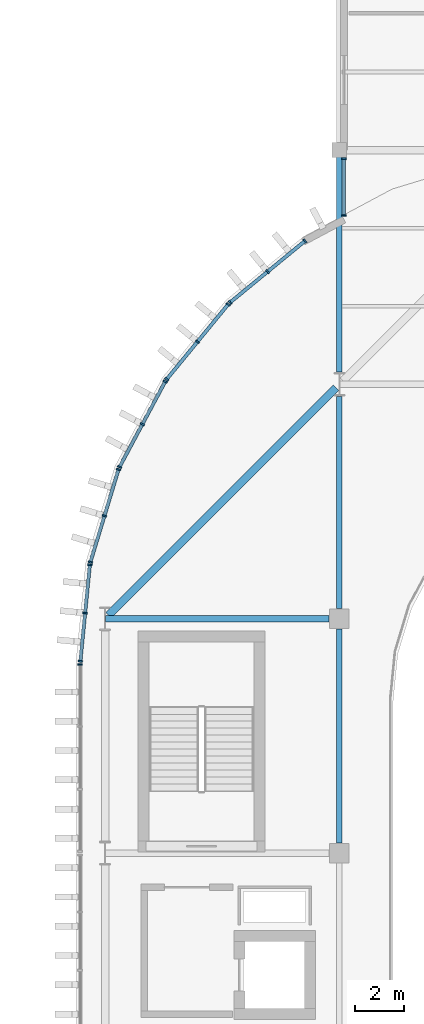
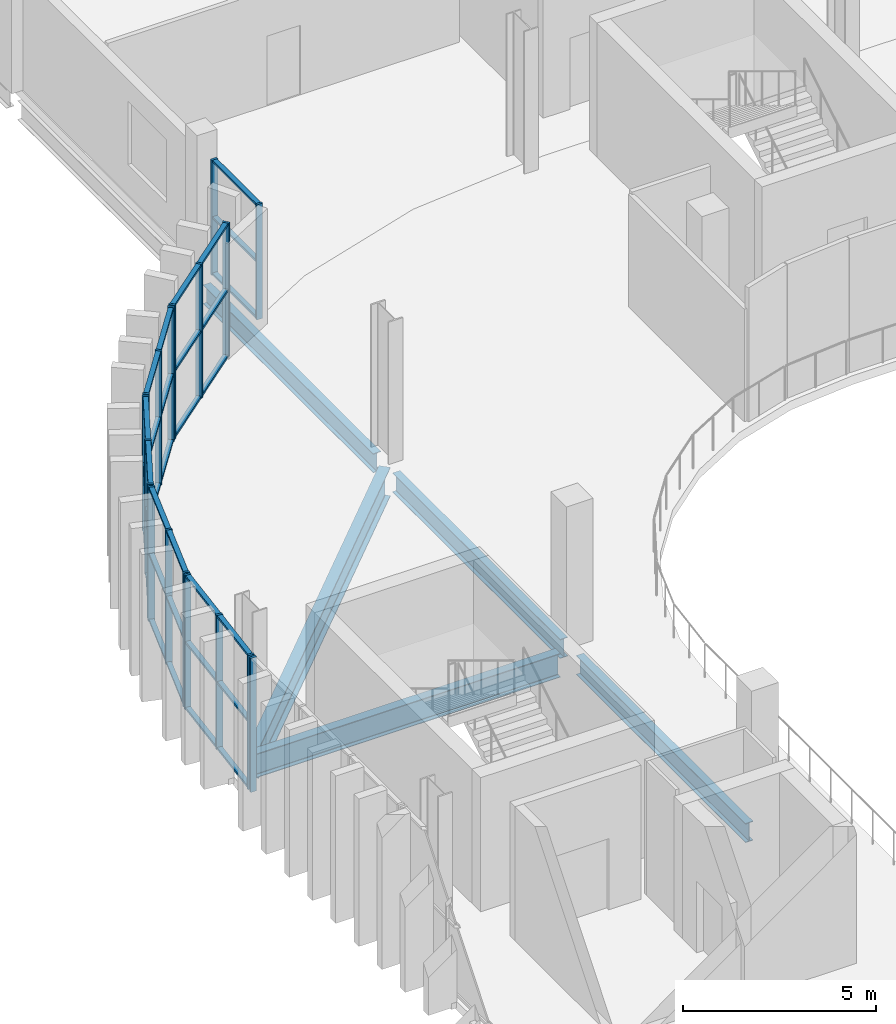
# One storey, part 12 of 75: 51 members, 5 beams, 7 elements without a shape of their own.
"""IFC4 building model written with IfcOpenShell, lengths in metres."""

from ifc_helpers import new_model, si_unit, direction, frame, origin, origin_2d, place, context, subcontext, project, spatial, rectangle, i_section, extrude, material, layer, layer_set, material_profile, profile_set, type_object, element, aggregate, save


model = new_model("IFC4")

# Units and contexts
model_context = context("Model", 3, precision=1e-05, world=origin(), true_north=direction((0.0, 1.0)))
body_context = subcontext(model_context, "Body", "Model", "MODEL_VIEW")
ifc_project = project(units=[si_unit("LENGTHUNIT", "METRE"), si_unit("AREAUNIT", "SQUARE_METRE"), si_unit("VOLUMEUNIT", "CUBIC_METRE"), si_unit("PLANEANGLEUNIT", "RADIAN"), si_unit("MASSUNIT", "GRAM", prefix="KILO")], contexts=[model_context])

# Site, building, storey
site_placement = place(None, origin())
site = spatial("IfcSite", under=ifc_project, at=site_placement, CompositionType="ELEMENT")
building_placement = place(site_placement, origin())
building = spatial("IfcBuilding", under=site, at=building_placement, Name="Caelomonte Colonnade Arena", CompositionType="ELEMENT")
storey_placement = place(building_placement, frame((0.0, 0.0, 14.10009765625)))
storey = spatial("IfcBuildingStorey", under=building, at=storey_placement, Name="L03", CompositionType="ELEMENT", Elevation=14.10009765625)

# Curtain wall, members
ifc_material_1 = material(Name="Bronze anodised aluminium and low-E glazing", Category="aluminium")
ifc_layer_1 = layer(ifc_material_1, 0.179931640625)
ifc_layer_set_1 = layer_set([ifc_layer_1], Name="Bronze anodised aluminium and low-E glazing")
curtain_wall_type_1 = type_object("IfcCurtainWallType", Name="ENV-CW-CW-L03-29-36", PredefinedType="USERDEFINED", material=ifc_layer_set_1)
curtain_wall_1_placement = place(storey_placement, origin())
curtain_wall_1 = element("IfcCurtainWall", 1, at=curtain_wall_1_placement, inside=storey, type_object=curtain_wall_type_1, Name="L03 unitized curtain wall CW-L03-0674-1138", ObjectType="UNITIZED CURTAIN WALL", PredefinedType="USERDEFINED")
ifc_material_2 = material(Name="Bronze anodised aluminium AA6063-T6", Category="aluminium")
ifc_material_profile_1 = material_profile(ifc_material_2, rectangle(XDim=0.070068359375, YDim=0.179931640625, at=origin_2d()), Name="CWM-70X180")
ifc_profile_set_1 = profile_set([ifc_material_profile_1], Name="Bronze anodised aluminium AA6063-T6")
member_type_1 = type_object("IfcMemberType", Name="ENV-CW-MULL1", PredefinedType="MULLION", material=ifc_profile_set_1)
member_1_placement = place(storey_placement, frame((67.3798828125, 114.844970703125, 0.0), z_axis=(0.0, 0.0, 1.0), x_axis=(0.0, -1.0, 0.0)))
member_1 = element("IfcMember", 2, at=member_1_placement, type_object=member_type_1, Name="CW-L03-29-36 mullion 1", PredefinedType="MULLION", context=body_context, shape_type="SweptSolid", body=[
    extrude(rectangle(XDim=0.070068359375, YDim=0.179931640625, at=origin_2d()), origin(), (0.0, 0.0, 1.0), 3.637939453125),
])
member_2_placement = place(storey_placement, frame((67.3798828125, 112.52001953125, 0.0), z_axis=(0.0, 0.0, 1.0), x_axis=(0.0, -1.0, 0.0)))
member_2 = element("IfcMember", 3, at=member_2_placement, type_object=member_type_1, Name="CW-L03-29-36 mullion 2", PredefinedType="MULLION", context=body_context, shape_type="SweptSolid", body=[
    extrude(rectangle(XDim=0.070068359375, YDim=0.179931640625, at=origin_2d()), origin(), (0.0, 0.0, 1.0), 3.637939453125),
])

ifc_layer_2 = layer(ifc_material_1, 0.179931640625)
ifc_layer_set_2 = layer_set([ifc_layer_2], Name="Bronze anodised aluminium and low-E glazing")
curtain_wall_type_2 = type_object("IfcCurtainWallType", Name="ENV-CW-CW-L03-44-42", PredefinedType="USERDEFINED", material=ifc_layer_set_2)
curtain_wall_2_placement = place(storey_placement, origin())
curtain_wall_2 = element("IfcCurtainWall", 4, at=curtain_wall_2_placement, inside=storey, type_object=curtain_wall_type_2, Name="L03 unitized curtain wall CW-L03-0643-1102", ObjectType="UNITIZED CURTAIN WALL", PredefinedType="USERDEFINED")
member_3_placement = place(storey_placement, frame((65.789306640625, 111.47412109375, 0.0), z_axis=(0.0, 0.0, 1.0), x_axis=(-0.772991751994, -0.634416071163, 0.0)))
member_3 = element("IfcMember", 5, at=member_3_placement, type_object=member_type_1, Name="CW-L03-44-42 mullion 1", PredefinedType="MULLION", context=body_context, shape_type="SweptSolid", body=[
    extrude(rectangle(XDim=0.070068359375, YDim=0.179931640625, at=origin_2d()), origin(), (0.0, 0.0, 1.0), 4.239990234375),
])
member_4_placement = place(storey_placement, frame((64.256103515625, 110.2158203125, 0.0), z_axis=(0.0, 0.0, 1.0), x_axis=(-0.772991751994, -0.634416071163, 0.0)))
member_4 = element("IfcMember", 6, at=member_4_placement, type_object=member_type_1, Name="CW-L03-44-42 mullion 2", PredefinedType="MULLION", context=body_context, shape_type="SweptSolid", body=[
    extrude(rectangle(XDim=0.070068359375, YDim=0.179931640625, at=origin_2d()), origin(), (0.0, 0.0, 1.0), 4.239990234375),
])
member_5_placement = place(storey_placement, frame((62.722900390625, 108.95751953125, 0.0), z_axis=(0.0, 0.0, 1.0), x_axis=(-0.772991751994, -0.634416071163, 0.0)))
member_5 = element("IfcMember", 7, at=member_5_placement, type_object=member_type_1, Name="CW-L03-44-42 mullion 3", PredefinedType="MULLION", context=body_context, shape_type="SweptSolid", body=[
    extrude(rectangle(XDim=0.070068359375, YDim=0.179931640625, at=origin_2d()), origin(), (0.0, 0.0, 1.0), 4.239990234375),
])

curtain_wall_3_placement = place(storey_placement, origin())
curtain_wall_3 = element("IfcCurtainWall", 8, at=curtain_wall_3_placement, inside=storey, type_object=curtain_wall_type_2, Name="L03 unitized curtain wall CW-L03-0614-1073", ObjectType="UNITIZED CURTAIN WALL", PredefinedType="USERDEFINED")
member_6_placement = place(storey_placement, frame((62.642333984375, 108.876953125, 0.0), z_axis=(0.0, 0.0, 1.0), x_axis=(-0.634416071163, -0.772991751994, 0.0)))
member_6 = element("IfcMember", 9, at=member_6_placement, type_object=member_type_1, Name="CW-L03-44-42 mullion 1", PredefinedType="MULLION", context=body_context, shape_type="SweptSolid", body=[
    extrude(rectangle(XDim=0.070068359375, YDim=0.179931640625, at=origin_2d()), origin(), (0.0, 0.0, 1.0), 4.239990234375),
])
member_7_placement = place(storey_placement, frame((61.384033203125, 107.343994140625, 0.0), z_axis=(0.0, 0.0, 1.0), x_axis=(-0.634416071163, -0.772991751994, 0.0)))
member_7 = element("IfcMember", 10, at=member_7_placement, type_object=member_type_1, Name="CW-L03-44-42 mullion 2", PredefinedType="MULLION", context=body_context, shape_type="SweptSolid", body=[
    extrude(rectangle(XDim=0.070068359375, YDim=0.179931640625, at=origin_2d()), origin(), (0.0, 0.0, 1.0), 4.239990234375),
])
member_8_placement = place(storey_placement, frame((60.125732421875, 105.810791015625, 0.0), z_axis=(0.0, 0.0, 1.0), x_axis=(-0.634416071163, -0.772991751994, 0.0)))
member_8 = element("IfcMember", 11, at=member_8_placement, type_object=member_type_1, Name="CW-L03-44-42 mullion 3", PredefinedType="MULLION", context=body_context, shape_type="SweptSolid", body=[
    extrude(rectangle(XDim=0.070068359375, YDim=0.179931640625, at=origin_2d()), origin(), (0.0, 0.0, 1.0), 4.239990234375),
])

curtain_wall_4_placement = place(storey_placement, origin())
curtain_wall_4 = element("IfcCurtainWall", 12, at=curtain_wall_4_placement, inside=storey, type_object=curtain_wall_type_2, Name="L03 unitized curtain wall CW-L03-0591-1040", ObjectType="UNITIZED CURTAIN WALL", PredefinedType="USERDEFINED")
member_9_placement = place(storey_placement, frame((60.0625, 105.716064453125, 0.0), z_axis=(0.0, 0.0, 1.0), x_axis=(-0.471394212466, -0.881922613642, 0.0)))
member_9 = element("IfcMember", 13, at=member_9_placement, type_object=member_type_1, Name="CW-L03-44-42 mullion 1", PredefinedType="MULLION", context=body_context, shape_type="SweptSolid", body=[
    extrude(rectangle(XDim=0.070068359375, YDim=0.179931640625, at=origin_2d()), origin(), (0.0, 0.0, 1.0), 4.239990234375),
])
member_10_placement = place(storey_placement, frame((59.12744140625, 103.966796875, 0.0), z_axis=(0.0, 0.0, 1.0), x_axis=(-0.471394212466, -0.881922613642, 0.0)))
member_10 = element("IfcMember", 14, at=member_10_placement, type_object=member_type_1, Name="CW-L03-44-42 mullion 2", PredefinedType="MULLION", context=body_context, shape_type="SweptSolid", body=[
    extrude(rectangle(XDim=0.070068359375, YDim=0.179931640625, at=origin_2d()), origin(), (0.0, 0.0, 1.0), 4.239990234375),
])
member_11_placement = place(storey_placement, frame((58.192626953125, 102.2177734375, 0.0), z_axis=(0.0, 0.0, 1.0), x_axis=(-0.471394212466, -0.881922613642, 0.0)))
member_11 = element("IfcMember", 15, at=member_11_placement, type_object=member_type_1, Name="CW-L03-44-42 mullion 3", PredefinedType="MULLION", context=body_context, shape_type="SweptSolid", body=[
    extrude(rectangle(XDim=0.070068359375, YDim=0.179931640625, at=origin_2d()), origin(), (0.0, 0.0, 1.0), 4.239990234375),
])

curtain_wall_5_placement = place(storey_placement, origin())
curtain_wall_5 = element("IfcCurtainWall", 16, at=curtain_wall_5_placement, inside=storey, type_object=curtain_wall_type_2, Name="L03 unitized curtain wall CW-L03-0576-1002", ObjectType="UNITIZED CURTAIN WALL", PredefinedType="USERDEFINED")
member_12_placement = place(storey_placement, frame((58.14892578125, 102.1123046875, 0.0), z_axis=(0.0, 0.0, 1.0), x_axis=(-0.290255582655, -0.956949160999, 0.0)))
member_12 = element("IfcMember", 17, at=member_12_placement, type_object=member_type_1, Name="CW-L03-44-42 mullion 1", PredefinedType="MULLION", context=body_context, shape_type="SweptSolid", body=[
    extrude(rectangle(XDim=0.070068359375, YDim=0.179931640625, at=origin_2d()), origin(), (0.0, 0.0, 1.0), 4.239990234375),
])
member_13_placement = place(storey_placement, frame((57.5732421875, 100.21435546875, 0.0), z_axis=(0.0, 0.0, 1.0), x_axis=(-0.290255582655, -0.956949160999, 0.0)))
member_13 = element("IfcMember", 18, at=member_13_placement, type_object=member_type_1, Name="CW-L03-44-42 mullion 2", PredefinedType="MULLION", context=body_context, shape_type="SweptSolid", body=[
    extrude(rectangle(XDim=0.070068359375, YDim=0.179931640625, at=origin_2d()), origin(), (0.0, 0.0, 1.0), 4.239990234375),
])
member_14_placement = place(storey_placement, frame((56.99755859375, 98.31640625, 0.0), z_axis=(0.0, 0.0, 1.0), x_axis=(-0.290255582655, -0.956949160999, 0.0)))
member_14 = element("IfcMember", 19, at=member_14_placement, type_object=member_type_1, Name="CW-L03-44-42 mullion 3", PredefinedType="MULLION", context=body_context, shape_type="SweptSolid", body=[
    extrude(rectangle(XDim=0.070068359375, YDim=0.179931640625, at=origin_2d()), origin(), (0.0, 0.0, 1.0), 4.239990234375),
])

curtain_wall_6_placement = place(storey_placement, origin())
curtain_wall_6 = element("IfcCurtainWall", 20, at=curtain_wall_6_placement, inside=storey, type_object=curtain_wall_type_2, Name="L03 unitized curtain wall CW-L03-0568-0962", ObjectType="UNITIZED CURTAIN WALL", PredefinedType="USERDEFINED")
member_15_placement = place(storey_placement, frame((56.975341796875, 98.20458984375, 0.0), z_axis=(0.0, 0.0, 1.0), x_axis=(-0.098002498041, -0.995186168703, 0.0)))
member_15 = element("IfcMember", 21, at=member_15_placement, type_object=member_type_1, Name="CW-L03-44-42 mullion 1", PredefinedType="MULLION", context=body_context, shape_type="SweptSolid", body=[
    extrude(rectangle(XDim=0.070068359375, YDim=0.179931640625, at=origin_2d()), origin(), (0.0, 0.0, 1.0), 4.239990234375),
])
member_16_placement = place(storey_placement, frame((56.781005859375, 96.230712890625, 0.0), z_axis=(0.0, 0.0, 1.0), x_axis=(-0.098002498041, -0.995186168703, 0.0)))
member_16 = element("IfcMember", 22, at=member_16_placement, type_object=member_type_1, Name="CW-L03-44-42 mullion 2", PredefinedType="MULLION", context=body_context, shape_type="SweptSolid", body=[
    extrude(rectangle(XDim=0.070068359375, YDim=0.179931640625, at=origin_2d()), origin(), (0.0, 0.0, 1.0), 4.239990234375),
])
member_17_placement = place(storey_placement, frame((56.58642578125, 94.257080078125, 0.0), z_axis=(0.0, 0.0, 1.0), x_axis=(-0.098002498041, -0.995186168703, 0.0)))
member_17 = element("IfcMember", 23, at=member_17_placement, type_object=member_type_1, Name="CW-L03-44-42 mullion 3", PredefinedType="MULLION", context=body_context, shape_type="SweptSolid", body=[
    extrude(rectangle(XDim=0.070068359375, YDim=0.179931640625, at=origin_2d()), origin(), (0.0, 0.0, 1.0), 4.239990234375),
])

# Curtain wall, member
ifc_layer_3 = layer(ifc_material_1, 0.179931640625)
ifc_layer_set_3 = layer_set([ifc_layer_3], Name="Bronze anodised aluminium and low-E glazing")
curtain_wall_type_3 = type_object("IfcCurtainWallType", Name="ENV-CW-CW-L03-79-42", PredefinedType="USERDEFINED", material=ifc_layer_set_3)
curtain_wall_7_placement = place(storey_placement, origin())
curtain_wall_7 = element("IfcCurtainWall", 24, at=curtain_wall_7_placement, inside=storey, type_object=curtain_wall_type_3, Name="L03 unitized curtain wall CW-L03-0566-0904", ObjectType="UNITIZED CURTAIN WALL", PredefinedType="USERDEFINED")
member_18_placement = place(storey_placement, frame((56.580078125, 94.125, 0.0), z_axis=(0.0, 0.0, 1.0), x_axis=(0.0, -1.0, 0.0)))
member_18 = element("IfcMember", 25, at=member_18_placement, type_object=member_type_1, Name="CW-L03-79-42 mullion 1", PredefinedType="MULLION", context=body_context, shape_type="SweptSolid", body=[
    extrude(rectangle(XDim=0.070068359375, YDim=0.179931640625, at=origin_2d()), origin(), (0.0, 0.0, 1.0), 4.239990234375),
])
aggregate(curtain_wall_7, [member_18])

# Member
ifc_material_profile_2 = material_profile(ifc_material_2, rectangle(XDim=0.070068359375, YDim=0.139892578125, at=origin_2d()), Name="CWT-70X140")
ifc_profile_set_2 = profile_set([ifc_material_profile_2], Name="Bronze anodised aluminium AA6063-T6")
member_type_2 = type_object("IfcMemberType", Name="ENV-CW-TRAN1", PredefinedType="USERDEFINED", material=ifc_profile_set_2)
member_19_placement = place(storey_placement, frame((67.3798828125, 114.81005859375, 0.034912109375), z_axis=(0.0, -1.0, 0.0), x_axis=(0.0, 0.0, 1.0)))
member_19 = element("IfcMember", 26, at=member_19_placement, type_object=member_type_2, Name="CW-L03-29-36 transom 1.1", ObjectType="TRANSOM", PredefinedType="USERDEFINED", context=body_context, shape_type="SweptSolid", body=[
    extrude(rectangle(XDim=0.070068359375, YDim=0.139892578125, at=origin_2d()), origin(), (0.0, 0.0, 1.0), 2.255126953125),
])

member_20_placement = place(storey_placement, frame((67.3798828125, 114.81005859375, 1.81884765625), z_axis=(0.0, -1.0, 0.0), x_axis=(0.0, 0.0, 1.0)))
member_20 = element("IfcMember", 27, at=member_20_placement, type_object=member_type_2, Name="CW-L03-29-36 transom 1.2", ObjectType="TRANSOM", PredefinedType="USERDEFINED", context=body_context, shape_type="SweptSolid", body=[
    extrude(rectangle(XDim=0.070068359375, YDim=0.139892578125, at=origin_2d()), origin(), (0.0, 0.0, 1.0), 2.255126953125),
])

member_21_placement = place(storey_placement, frame((67.3798828125, 114.81005859375, 3.602783203125), z_axis=(0.0, -1.0, 0.0), x_axis=(0.0, 0.0, 1.0)))
member_21 = element("IfcMember", 28, at=member_21_placement, type_object=member_type_2, Name="CW-L03-29-36 transom 1.3", ObjectType="TRANSOM", PredefinedType="USERDEFINED", context=body_context, shape_type="SweptSolid", body=[
    extrude(rectangle(XDim=0.070068359375, YDim=0.139892578125, at=origin_2d()), origin(), (0.0, 0.0, 1.0), 2.255126953125),
])

aggregate(curtain_wall_1, [member_1, member_2, member_19, member_20, member_21])

member_22_placement = place(storey_placement, frame((65.76220703125, 111.451904296875, 0.034912109375), z_axis=(-0.772989936128, -0.634418283662, 0.0), x_axis=(0.0, 0.0, 1.0)))
member_22 = element("IfcMember", 29, at=member_22_placement, type_object=member_type_2, Name="CW-L03-44-42 transom 1.1", ObjectType="TRANSOM", PredefinedType="USERDEFINED", context=body_context, shape_type="SweptSolid", body=[
    extrude(rectangle(XDim=0.070068359375, YDim=0.139892578125, at=origin_2d()), origin(), (0.0, 0.0, 1.0), 1.913330078125),
])

member_23_placement = place(storey_placement, frame((65.76220703125, 111.451904296875, 2.119873046875), z_axis=(-0.772989936128, -0.634418283662, 0.0), x_axis=(0.0, 0.0, 1.0)))
member_23 = element("IfcMember", 30, at=member_23_placement, type_object=member_type_2, Name="CW-L03-44-42 transom 1.2", ObjectType="TRANSOM", PredefinedType="USERDEFINED", context=body_context, shape_type="SweptSolid", body=[
    extrude(rectangle(XDim=0.070068359375, YDim=0.139892578125, at=origin_2d()), origin(), (0.0, 0.0, 1.0), 1.913330078125),
])

member_24_placement = place(storey_placement, frame((65.76220703125, 111.451904296875, 4.204833984375), z_axis=(-0.772989936128, -0.634418283662, 0.0), x_axis=(0.0, 0.0, 1.0)))
member_24 = element("IfcMember", 31, at=member_24_placement, type_object=member_type_2, Name="CW-L03-44-42 transom 1.3", ObjectType="TRANSOM", PredefinedType="USERDEFINED", context=body_context, shape_type="SweptSolid", body=[
    extrude(rectangle(XDim=0.070068359375, YDim=0.139892578125, at=origin_2d()), origin(), (0.0, 0.0, 1.0), 1.913330078125),
])

member_25_placement = place(storey_placement, frame((64.22900390625, 110.193603515625, 0.034912109375), z_axis=(-0.772989936128, -0.634418283662, 0.0), x_axis=(0.0, 0.0, 1.0)))
member_25 = element("IfcMember", 32, at=member_25_placement, type_object=member_type_2, Name="CW-L03-44-42 transom 2.1", ObjectType="TRANSOM", PredefinedType="USERDEFINED", context=body_context, shape_type="SweptSolid", body=[
    extrude(rectangle(XDim=0.070068359375, YDim=0.139892578125, at=origin_2d()), origin(), (0.0, 0.0, 1.0), 1.913330078125),
])

member_26_placement = place(storey_placement, frame((64.22900390625, 110.193603515625, 2.119873046875), z_axis=(-0.772989936128, -0.634418283662, 0.0), x_axis=(0.0, 0.0, 1.0)))
member_26 = element("IfcMember", 33, at=member_26_placement, type_object=member_type_2, Name="CW-L03-44-42 transom 2.2", ObjectType="TRANSOM", PredefinedType="USERDEFINED", context=body_context, shape_type="SweptSolid", body=[
    extrude(rectangle(XDim=0.070068359375, YDim=0.139892578125, at=origin_2d()), origin(), (0.0, 0.0, 1.0), 1.913330078125),
])

member_27_placement = place(storey_placement, frame((64.22900390625, 110.193603515625, 4.204833984375), z_axis=(-0.772989936128, -0.634418283662, 0.0), x_axis=(0.0, 0.0, 1.0)))
member_27 = element("IfcMember", 34, at=member_27_placement, type_object=member_type_2, Name="CW-L03-44-42 transom 2.3", ObjectType="TRANSOM", PredefinedType="USERDEFINED", context=body_context, shape_type="SweptSolid", body=[
    extrude(rectangle(XDim=0.070068359375, YDim=0.139892578125, at=origin_2d()), origin(), (0.0, 0.0, 1.0), 1.913330078125),
])

aggregate(curtain_wall_2, [member_3, member_4, member_5, member_22, member_23, member_24, member_25, member_26, member_27])

member_28_placement = place(storey_placement, frame((62.6201171875, 108.85009765625, 0.034912109375), z_axis=(-0.634355713729, -0.773041285094, 0.0), x_axis=(0.0, 0.0, 1.0)))
member_28 = element("IfcMember", 35, at=member_28_placement, type_object=member_type_2, Name="CW-L03-44-42 transom 1.1", ObjectType="TRANSOM", PredefinedType="USERDEFINED", context=body_context, shape_type="SweptSolid", body=[
    extrude(rectangle(XDim=0.070068359375, YDim=0.139892578125, at=origin_2d()), origin(), (0.0, 0.0, 1.0), 1.91357421875),
])

member_29_placement = place(storey_placement, frame((62.6201171875, 108.85009765625, 2.119873046875), z_axis=(-0.634355713729, -0.773041285094, 0.0), x_axis=(0.0, 0.0, 1.0)))
member_29 = element("IfcMember", 36, at=member_29_placement, type_object=member_type_2, Name="CW-L03-44-42 transom 1.2", ObjectType="TRANSOM", PredefinedType="USERDEFINED", context=body_context, shape_type="SweptSolid", body=[
    extrude(rectangle(XDim=0.070068359375, YDim=0.139892578125, at=origin_2d()), origin(), (0.0, 0.0, 1.0), 1.91357421875),
])

member_30_placement = place(storey_placement, frame((62.6201171875, 108.85009765625, 4.204833984375), z_axis=(-0.634355713729, -0.773041285094, 0.0), x_axis=(0.0, 0.0, 1.0)))
member_30 = element("IfcMember", 37, at=member_30_placement, type_object=member_type_2, Name="CW-L03-44-42 transom 1.3", ObjectType="TRANSOM", PredefinedType="USERDEFINED", context=body_context, shape_type="SweptSolid", body=[
    extrude(rectangle(XDim=0.070068359375, YDim=0.139892578125, at=origin_2d()), origin(), (0.0, 0.0, 1.0), 1.91357421875),
])

member_31_placement = place(storey_placement, frame((61.36181640625, 107.31689453125, 0.034912109375), z_axis=(-0.634418283662, -0.772989936128, 0.0), x_axis=(0.0, 0.0, 1.0)))
member_31 = element("IfcMember", 38, at=member_31_placement, type_object=member_type_2, Name="CW-L03-44-42 transom 2.1", ObjectType="TRANSOM", PredefinedType="USERDEFINED", context=body_context, shape_type="SweptSolid", body=[
    extrude(rectangle(XDim=0.070068359375, YDim=0.139892578125, at=origin_2d()), origin(), (0.0, 0.0, 1.0), 1.913330078125),
])

member_32_placement = place(storey_placement, frame((61.36181640625, 107.31689453125, 2.119873046875), z_axis=(-0.634418283662, -0.772989936128, 0.0), x_axis=(0.0, 0.0, 1.0)))
member_32 = element("IfcMember", 39, at=member_32_placement, type_object=member_type_2, Name="CW-L03-44-42 transom 2.2", ObjectType="TRANSOM", PredefinedType="USERDEFINED", context=body_context, shape_type="SweptSolid", body=[
    extrude(rectangle(XDim=0.070068359375, YDim=0.139892578125, at=origin_2d()), origin(), (0.0, 0.0, 1.0), 1.913330078125),
])

member_33_placement = place(storey_placement, frame((61.36181640625, 107.31689453125, 4.204833984375), z_axis=(-0.634418283662, -0.772989936128, 0.0), x_axis=(0.0, 0.0, 1.0)))
member_33 = element("IfcMember", 40, at=member_33_placement, type_object=member_type_2, Name="CW-L03-44-42 transom 2.3", ObjectType="TRANSOM", PredefinedType="USERDEFINED", context=body_context, shape_type="SweptSolid", body=[
    extrude(rectangle(XDim=0.070068359375, YDim=0.139892578125, at=origin_2d()), origin(), (0.0, 0.0, 1.0), 1.913330078125),
])

aggregate(curtain_wall_3, [member_6, member_7, member_8, member_28, member_29, member_30, member_31, member_32, member_33])

member_34_placement = place(storey_placement, frame((60.0458984375, 105.68505859375, 0.034912109375), z_axis=(-0.471396095589, -0.881921607096, 0.0), x_axis=(0.0, 0.0, 1.0)))
member_34 = element("IfcMember", 41, at=member_34_placement, type_object=member_type_2, Name="CW-L03-44-42 transom 1.1", ObjectType="TRANSOM", PredefinedType="USERDEFINED", context=body_context, shape_type="SweptSolid", body=[
    extrude(rectangle(XDim=0.070068359375, YDim=0.139892578125, at=origin_2d()), origin(), (0.0, 0.0, 1.0), 1.9130859375),
])

member_35_placement = place(storey_placement, frame((60.0458984375, 105.68505859375, 2.119873046875), z_axis=(-0.471396095589, -0.881921607096, 0.0), x_axis=(0.0, 0.0, 1.0)))
member_35 = element("IfcMember", 42, at=member_35_placement, type_object=member_type_2, Name="CW-L03-44-42 transom 1.2", ObjectType="TRANSOM", PredefinedType="USERDEFINED", context=body_context, shape_type="SweptSolid", body=[
    extrude(rectangle(XDim=0.070068359375, YDim=0.139892578125, at=origin_2d()), origin(), (0.0, 0.0, 1.0), 1.9130859375),
])

member_36_placement = place(storey_placement, frame((60.0458984375, 105.68505859375, 4.204833984375), z_axis=(-0.471396095589, -0.881921607096, 0.0), x_axis=(0.0, 0.0, 1.0)))
member_36 = element("IfcMember", 43, at=member_36_placement, type_object=member_type_2, Name="CW-L03-44-42 transom 1.3", ObjectType="TRANSOM", PredefinedType="USERDEFINED", context=body_context, shape_type="SweptSolid", body=[
    extrude(rectangle(XDim=0.070068359375, YDim=0.139892578125, at=origin_2d()), origin(), (0.0, 0.0, 1.0), 1.9130859375),
])

member_37_placement = place(storey_placement, frame((59.111083984375, 103.93603515625, 0.034912109375), z_axis=(-0.471442288799, -0.881896914799, 0.0), x_axis=(0.0, 0.0, 1.0)))
member_37 = element("IfcMember", 44, at=member_37_placement, type_object=member_type_2, Name="CW-L03-44-42 transom 2.1", ObjectType="TRANSOM", PredefinedType="USERDEFINED", context=body_context, shape_type="SweptSolid", body=[
    extrude(rectangle(XDim=0.070068359375, YDim=0.139892578125, at=origin_2d()), origin(), (0.0, 0.0, 1.0), 1.91357421875),
])

member_38_placement = place(storey_placement, frame((59.111083984375, 103.93603515625, 2.119873046875), z_axis=(-0.471442288799, -0.881896914799, 0.0), x_axis=(0.0, 0.0, 1.0)))
member_38 = element("IfcMember", 45, at=member_38_placement, type_object=member_type_2, Name="CW-L03-44-42 transom 2.2", ObjectType="TRANSOM", PredefinedType="USERDEFINED", context=body_context, shape_type="SweptSolid", body=[
    extrude(rectangle(XDim=0.070068359375, YDim=0.139892578125, at=origin_2d()), origin(), (0.0, 0.0, 1.0), 1.91357421875),
])

member_39_placement = place(storey_placement, frame((59.111083984375, 103.93603515625, 4.204833984375), z_axis=(-0.471442288799, -0.881896914799, 0.0), x_axis=(0.0, 0.0, 1.0)))
member_39 = element("IfcMember", 46, at=member_39_placement, type_object=member_type_2, Name="CW-L03-44-42 transom 2.3", ObjectType="TRANSOM", PredefinedType="USERDEFINED", context=body_context, shape_type="SweptSolid", body=[
    extrude(rectangle(XDim=0.070068359375, YDim=0.139892578125, at=origin_2d()), origin(), (0.0, 0.0, 1.0), 1.91357421875),
])

aggregate(curtain_wall_4, [member_9, member_10, member_11, member_34, member_35, member_36, member_37, member_38, member_39])

member_40_placement = place(storey_placement, frame((58.138671875, 102.078857421875, 0.034912109375), z_axis=(-0.29015613003, -0.956979320678, 0.0), x_axis=(0.0, 0.0, 1.0)))
member_40 = element("IfcMember", 47, at=member_40_placement, type_object=member_type_2, Name="CW-L03-44-42 transom 1.1", ObjectType="TRANSOM", PredefinedType="USERDEFINED", context=body_context, shape_type="SweptSolid", body=[
    extrude(rectangle(XDim=0.070068359375, YDim=0.139892578125, at=origin_2d()), origin(), (0.0, 0.0, 1.0), 1.913330078125),
])

member_41_placement = place(storey_placement, frame((58.138671875, 102.078857421875, 2.119873046875), z_axis=(-0.29015613003, -0.956979320678, 0.0), x_axis=(0.0, 0.0, 1.0)))
member_41 = element("IfcMember", 48, at=member_41_placement, type_object=member_type_2, Name="CW-L03-44-42 transom 1.2", ObjectType="TRANSOM", PredefinedType="USERDEFINED", context=body_context, shape_type="SweptSolid", body=[
    extrude(rectangle(XDim=0.070068359375, YDim=0.139892578125, at=origin_2d()), origin(), (0.0, 0.0, 1.0), 1.913330078125),
])

member_42_placement = place(storey_placement, frame((58.138671875, 102.078857421875, 4.204833984375), z_axis=(-0.29015613003, -0.956979320678, 0.0), x_axis=(0.0, 0.0, 1.0)))
member_42 = element("IfcMember", 49, at=member_42_placement, type_object=member_type_2, Name="CW-L03-44-42 transom 1.3", ObjectType="TRANSOM", PredefinedType="USERDEFINED", context=body_context, shape_type="SweptSolid", body=[
    extrude(rectangle(XDim=0.070068359375, YDim=0.139892578125, at=origin_2d()), origin(), (0.0, 0.0, 1.0), 1.913330078125),
])

member_43_placement = place(storey_placement, frame((57.56298828125, 100.180908203125, 0.034912109375), z_axis=(-0.29015613003, -0.956979320678, 0.0), x_axis=(0.0, 0.0, 1.0)))
member_43 = element("IfcMember", 50, at=member_43_placement, type_object=member_type_2, Name="CW-L03-44-42 transom 2.1", ObjectType="TRANSOM", PredefinedType="USERDEFINED", context=body_context, shape_type="SweptSolid", body=[
    extrude(rectangle(XDim=0.070068359375, YDim=0.139892578125, at=origin_2d()), origin(), (0.0, 0.0, 1.0), 1.913330078125),
])

member_44_placement = place(storey_placement, frame((57.56298828125, 100.180908203125, 2.119873046875), z_axis=(-0.29015613003, -0.956979320678, 0.0), x_axis=(0.0, 0.0, 1.0)))
member_44 = element("IfcMember", 51, at=member_44_placement, type_object=member_type_2, Name="CW-L03-44-42 transom 2.2", ObjectType="TRANSOM", PredefinedType="USERDEFINED", context=body_context, shape_type="SweptSolid", body=[
    extrude(rectangle(XDim=0.070068359375, YDim=0.139892578125, at=origin_2d()), origin(), (0.0, 0.0, 1.0), 1.913330078125),
])

member_45_placement = place(storey_placement, frame((57.56298828125, 100.180908203125, 4.204833984375), z_axis=(-0.29015613003, -0.956979320678, 0.0), x_axis=(0.0, 0.0, 1.0)))
member_45 = element("IfcMember", 52, at=member_45_placement, type_object=member_type_2, Name="CW-L03-44-42 transom 2.3", ObjectType="TRANSOM", PredefinedType="USERDEFINED", context=body_context, shape_type="SweptSolid", body=[
    extrude(rectangle(XDim=0.070068359375, YDim=0.139892578125, at=origin_2d()), origin(), (0.0, 0.0, 1.0), 1.913330078125),
])

aggregate(curtain_wall_5, [member_12, member_13, member_14, member_40, member_41, member_42, member_43, member_44, member_45])

member_46_placement = place(storey_placement, frame((56.971923828125, 98.169677734375, 0.034912109375), z_axis=(-0.098000148132, -0.995186400111, 0.0), x_axis=(0.0, 0.0, 1.0)))
member_46 = element("IfcMember", 53, at=member_46_placement, type_object=member_type_2, Name="CW-L03-44-42 transom 1.1", ObjectType="TRANSOM", PredefinedType="USERDEFINED", context=body_context, shape_type="SweptSolid", body=[
    extrude(rectangle(XDim=0.070068359375, YDim=0.139892578125, at=origin_2d()), origin(), (0.0, 0.0, 1.0), 1.913330078125),
])

member_47_placement = place(storey_placement, frame((56.971923828125, 98.169677734375, 2.119873046875), z_axis=(-0.098000148132, -0.995186400111, 0.0), x_axis=(0.0, 0.0, 1.0)))
member_47 = element("IfcMember", 54, at=member_47_placement, type_object=member_type_2, Name="CW-L03-44-42 transom 1.2", ObjectType="TRANSOM", PredefinedType="USERDEFINED", context=body_context, shape_type="SweptSolid", body=[
    extrude(rectangle(XDim=0.070068359375, YDim=0.139892578125, at=origin_2d()), origin(), (0.0, 0.0, 1.0), 1.913330078125),
])

member_48_placement = place(storey_placement, frame((56.971923828125, 98.169677734375, 4.204833984375), z_axis=(-0.098000148132, -0.995186400111, 0.0), x_axis=(0.0, 0.0, 1.0)))
member_48 = element("IfcMember", 55, at=member_48_placement, type_object=member_type_2, Name="CW-L03-44-42 transom 1.3", ObjectType="TRANSOM", PredefinedType="USERDEFINED", context=body_context, shape_type="SweptSolid", body=[
    extrude(rectangle(XDim=0.070068359375, YDim=0.139892578125, at=origin_2d()), origin(), (0.0, 0.0, 1.0), 1.913330078125),
])

member_49_placement = place(storey_placement, frame((56.777587890625, 96.196044921875, 0.034912109375), z_axis=(-0.098114065391, -0.995175175621, 0.0), x_axis=(0.0, 0.0, 1.0)))
member_49 = element("IfcMember", 56, at=member_49_placement, type_object=member_type_2, Name="CW-L03-44-42 transom 2.1", ObjectType="TRANSOM", PredefinedType="USERDEFINED", context=body_context, shape_type="SweptSolid", body=[
    extrude(rectangle(XDim=0.070068359375, YDim=0.139892578125, at=origin_2d()), origin(), (0.0, 0.0, 1.0), 1.91357421875),
])

member_50_placement = place(storey_placement, frame((56.777587890625, 96.196044921875, 2.119873046875), z_axis=(-0.098114065391, -0.995175175621, 0.0), x_axis=(0.0, 0.0, 1.0)))
member_50 = element("IfcMember", 57, at=member_50_placement, type_object=member_type_2, Name="CW-L03-44-42 transom 2.2", ObjectType="TRANSOM", PredefinedType="USERDEFINED", context=body_context, shape_type="SweptSolid", body=[
    extrude(rectangle(XDim=0.070068359375, YDim=0.139892578125, at=origin_2d()), origin(), (0.0, 0.0, 1.0), 1.91357421875),
])

member_51_placement = place(storey_placement, frame((56.777587890625, 96.196044921875, 4.204833984375), z_axis=(-0.098114065391, -0.995175175621, 0.0), x_axis=(0.0, 0.0, 1.0)))
member_51 = element("IfcMember", 58, at=member_51_placement, type_object=member_type_2, Name="CW-L03-44-42 transom 2.3", ObjectType="TRANSOM", PredefinedType="USERDEFINED", context=body_context, shape_type="SweptSolid", body=[
    extrude(rectangle(XDim=0.070068359375, YDim=0.139892578125, at=origin_2d()), origin(), (0.0, 0.0, 1.0), 1.91357421875),
])

aggregate(curtain_wall_6, [member_15, member_16, member_17, member_46, member_47, member_48, member_49, member_50, member_51])

# Beams
ifc_material_3 = material(Name="Wide-flange steel ASTM A992 Grade 50", Category="steel")
ifc_material_profile_3 = material_profile(ifc_material_3, i_section(OverallWidth=0.307861328125, OverallDepth=0.927001953125, WebThickness=0.019287109375, FlangeThickness=0.031982421875, FilletRadius=0.020263671875, at=origin_2d()), Name="W36X194")
ifc_profile_set_3 = profile_set([ifc_material_profile_3], Name="Wide-flange steel ASTM A992 Grade 50")
beam_type_1 = type_object("IfcBeamType", Name="STR-BM-EAVES2", PredefinedType="SPANDREL", material=ifc_profile_set_3)
beam_1_placement = place(storey_placement, frame((67.0576171875, 105.45751953125, -0.74365234375), z_axis=(-0.707116047487, -0.707097514764, 0.0), x_axis=(0.707097514764, -0.707116047487, 0.0)))
element("IfcBeam", 59, at=beam_1_placement, inside=storey, type_object=beam_type_1, Name="L03 drum corner ring girder 8", PredefinedType="SPANDREL", context=body_context, shape_type="SweptSolid", body=[
    extrude(i_section(OverallWidth=0.307861328125, OverallDepth=0.927001953125, WebThickness=0.019287109375, FlangeThickness=0.031982421875, FilletRadius=0.020263671875, at=origin_2d()), origin(), (0.0, 0.0, 1.0), 13.173583984375),
])
ifc_material_profile_4 = material_profile(ifc_material_3, i_section(OverallWidth=0.228271484375, OverallDepth=0.607177734375, WebThickness=0.01123046875, FlangeThickness=0.017333984375, FilletRadius=0.0126953125, at=origin_2d()), Name="W24X76")
ifc_profile_set_4 = profile_set([ifc_material_profile_4], Name="Wide-flange steel ASTM A992 Grade 50")
beam_type_2 = type_object("IfcBeamType", Name="STR-BM-GIRD24", PredefinedType="BEAM", material=ifc_profile_set_4)
beam_2_placement = place(storey_placement, frame((67.199951171875, 86.81689453125, -0.58349609375), z_axis=(0.0, 1.0, 0.0), x_axis=(-1.0, 0.0, 0.0)))
element("IfcBeam", 60, at=beam_2_placement, inside=storey, type_object=beam_type_2, Name="L03 girder BMY-L03-0672-0864", PredefinedType="BEAM", context=body_context, shape_type="SweptSolid", body=[
    extrude(i_section(OverallWidth=0.228271484375, OverallDepth=0.607177734375, WebThickness=0.01123046875, FlangeThickness=0.017333984375, FilletRadius=0.0126953125, at=origin_2d()), origin(), (0.0, 0.0, 1.0), 8.76611328125),
])
beam_3_placement = place(storey_placement, frame((67.199951171875, 96.4169921875, -0.58349609375), z_axis=(0.0, 1.0, 0.0), x_axis=(-1.0, 0.0, 0.0)))
element("IfcBeam", 61, at=beam_3_placement, inside=storey, type_object=beam_type_2, Name="L03 girder BMY-L03-0672-0960", PredefinedType="BEAM", context=body_context, shape_type="SweptSolid", body=[
    extrude(i_section(OverallWidth=0.228271484375, OverallDepth=0.607177734375, WebThickness=0.01123046875, FlangeThickness=0.017333984375, FilletRadius=0.0126953125, at=origin_2d()), origin(), (0.0, 0.0, 1.0), 8.685546875),
])
beam_4_placement = place(storey_placement, frame((67.199951171875, 106.097412109375, -0.58349609375), z_axis=(0.0, 1.0, 0.0), x_axis=(-1.0, 0.0, 0.0)))
element("IfcBeam", 62, at=beam_4_placement, inside=storey, type_object=beam_type_2, Name="L03 girder BMY-L03-0672-1056", PredefinedType="BEAM", context=body_context, shape_type="SweptSolid", body=[
    extrude(i_section(OverallWidth=0.228271484375, OverallDepth=0.607177734375, WebThickness=0.01123046875, FlangeThickness=0.017333984375, FilletRadius=0.0126953125, at=origin_2d()), origin(), (0.0, 0.0, 1.0), 8.810546875),
])
ifc_material_profile_5 = material_profile(ifc_material_3, i_section(OverallWidth=0.265380859375, OverallDepth=0.75439453125, WebThickness=0.01318359375, FlangeThickness=0.01708984375, FilletRadius=0.0166015625, at=origin_2d()), Name="W30X99")
ifc_profile_set_5 = profile_set([ifc_material_profile_5], Name="Wide-flange steel ASTM A992 Grade 50")
beam_type_3 = type_object("IfcBeamType", Name="STR-BM-GIRD30B", PredefinedType="BEAM", material=ifc_profile_set_5)
beam_5_placement = place(storey_placement, frame((57.61181640625, 96.0, -0.6572265625), z_axis=(1.0, 0.0, 0.0), x_axis=(0.0, 1.0, 0.0)))
element("IfcBeam", 63, at=beam_5_placement, inside=storey, type_object=beam_type_3, Name="L03 girder BMX-L03-0576-0960", PredefinedType="BEAM", context=body_context, shape_type="SweptSolid", body=[
    extrude(i_section(OverallWidth=0.265380859375, OverallDepth=0.75439453125, WebThickness=0.01318359375, FlangeThickness=0.01708984375, FilletRadius=0.0166015625, at=origin_2d()), origin(), (0.0, 0.0, 1.0), 9.171142578125),
])

save(model, "model.ifc")
